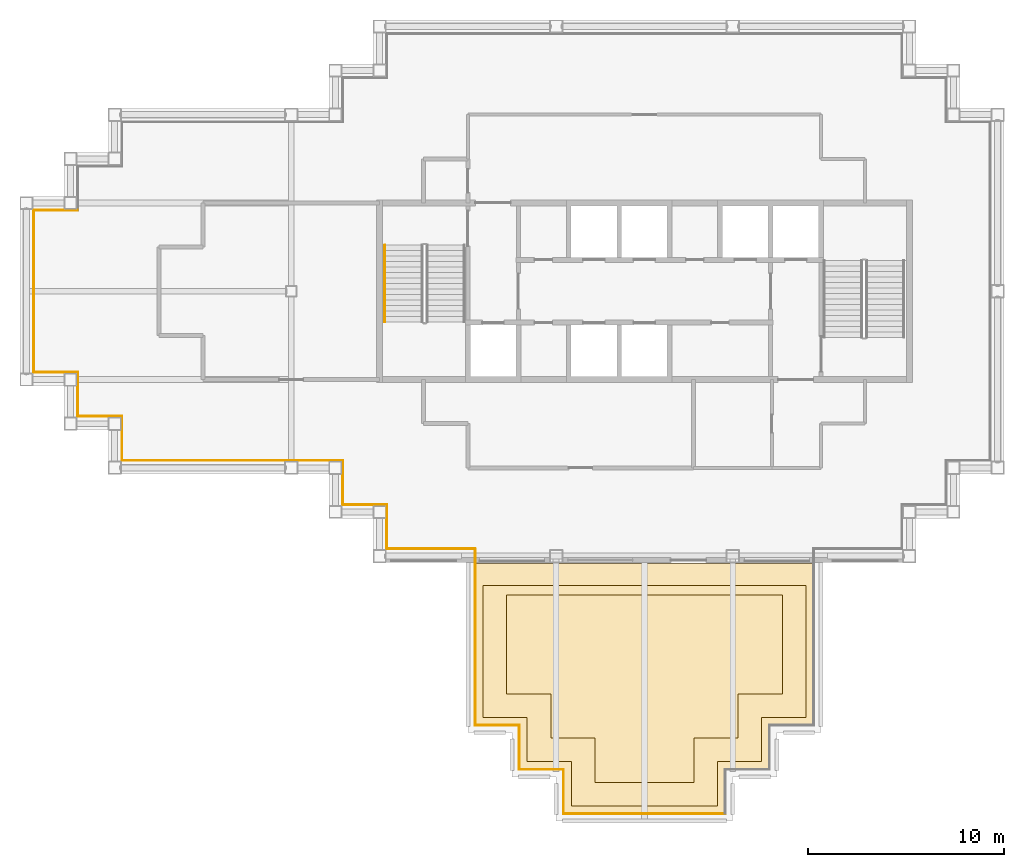
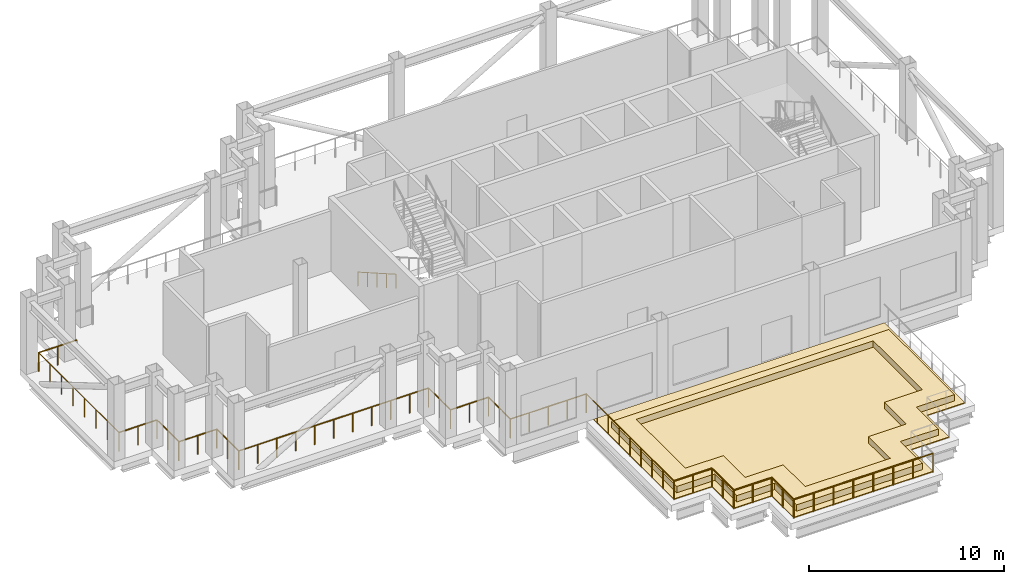
# One storey, part 7 of 10: 18 railings, 3 coverings.
"""IFC4 building model written with IfcOpenShell, lengths in metres."""

from ifc_helpers import new_model, si_unit, direction, frame, origin, origin_2d, place, context, subcontext, project, spatial, polyline, circle, outline, extrude, material, layer, layer_set, type_object, element, save


model = new_model("IFC4")

# Units and contexts
model_context = context("Model", 3, precision=1e-05, world=origin(), true_north=direction((0.0, 1.0)))
body_context = subcontext(model_context, "Body", "Model", "MODEL_VIEW")
ifc_project = project(units=[si_unit("LENGTHUNIT", "METRE"), si_unit("AREAUNIT", "SQUARE_METRE"), si_unit("VOLUMEUNIT", "CUBIC_METRE"), si_unit("PLANEANGLEUNIT", "RADIAN"), si_unit("MASSUNIT", "GRAM", prefix="KILO")], contexts=[model_context])

# Site, building, storey
site_placement = place(None, origin())
site = spatial("IfcSite", under=ifc_project, at=site_placement, CompositionType="ELEMENT")
building_placement = place(site_placement, origin())
building = spatial("IfcBuilding", under=site, at=building_placement, Name="Caravel Reach Hotel and Residences", CompositionType="ELEMENT")
storey_placement = place(building_placement, frame((0.0, 0.0, 233.10009765625)))
storey = spatial("IfcBuildingStorey", under=building, at=storey_placement, Name="L59", CompositionType="ELEMENT", Elevation=233.10009765625)

# Railings
ifc_material_1 = material(Name="Stainless steel S30408", Category="steel")
railing_type_1 = type_object("IfcRailingType", Name="G1 Guard 1200 stainless", PredefinedType="GUARDRAIL", material=ifc_material_1)
railing_1_placement = place(storey_placement, frame((2.625, 31.125, 0.0)))
element("IfcRailing", 1, at=railing_1_placement, inside=storey, type_object=railing_type_1, Name="Guard L59 1 run 21", PredefinedType="GUARDRAIL", context=body_context, shape_type="SweptSolid", body=[
    extrude(circle(Radius=0.02392578125, at=origin_2d()), frame((0.0, 0.0, 1.17578125), z_axis=(-1.0, 0.0, 0.0), x_axis=(0.0, -1.0, 0.0)), (0.0, 0.0, 1.0), 2.25),
    extrude(circle(Radius=0.02099609375, at=origin_2d()), frame((-1.125, 0.0, 0.0)), (0.0, 0.0, 1.0), 1.15185546875),
    extrude(circle(Radius=0.02099609375, at=origin_2d()), frame((-2.25, 0.0, 0.0)), (0.0, 0.0, 1.0), 1.15185546875),
])
railing_2_placement = place(storey_placement, frame((0.375, 31.125, 0.0)))
element("IfcRailing", 2, at=railing_2_placement, inside=storey, type_object=railing_type_1, Name="Guard L59 1 run 22", PredefinedType="GUARDRAIL", context=body_context, shape_type="SweptSolid", body=[
    extrude(circle(Radius=0.02392578125, at=origin_2d()), frame((0.0, 0.0, 1.17578125), z_axis=(0.0, -1.0, 0.0), x_axis=(1.0, 0.0, 0.0)), (0.0, 0.0, 1.0), 8.25),
    extrude(circle(Radius=0.02099609375, at=origin_2d()), frame((0.0, -1.178466796875, 0.0)), (0.0, 0.0, 1.0), 1.15185546875),
    extrude(circle(Radius=0.02099609375, at=origin_2d()), frame((0.0, -2.357177734375, 0.0)), (0.0, 0.0, 1.0), 1.15185546875),
    extrude(circle(Radius=0.02099609375, at=origin_2d()), frame((0.0, -3.53564453125, 0.0)), (0.0, 0.0, 1.0), 1.15185546875),
    extrude(circle(Radius=0.02099609375, at=origin_2d()), frame((0.0, -4.71435546875, 0.0)), (0.0, 0.0, 1.0), 1.15185546875),
    extrude(circle(Radius=0.02099609375, at=origin_2d()), frame((0.0, -5.892822265625, 0.0)), (0.0, 0.0, 1.0), 1.15185546875),
    extrude(circle(Radius=0.02099609375, at=origin_2d()), frame((0.0, -7.071533203125, 0.0)), (0.0, 0.0, 1.0), 1.15185546875),
    extrude(circle(Radius=0.02099609375, at=origin_2d()), frame((0.0, -8.25, 0.0)), (0.0, 0.0, 1.0), 1.15185546875),
])
railing_3_placement = place(storey_placement, frame((0.375, 22.875, 0.0)))
element("IfcRailing", 3, at=railing_3_placement, inside=storey, type_object=railing_type_1, Name="Guard L59 1 run 23", PredefinedType="GUARDRAIL", context=body_context, shape_type="SweptSolid", body=[
    extrude(circle(Radius=0.02392578125, at=origin_2d()), frame((0.0, 0.0, 1.17578125), z_axis=(1.0, 0.0, 0.0), x_axis=(0.0, 1.0, 0.0)), (0.0, 0.0, 1.0), 2.25),
    extrude(circle(Radius=0.02099609375, at=origin_2d()), frame((1.125, 0.0, 0.0)), (0.0, 0.0, 1.0), 1.15185546875),
    extrude(circle(Radius=0.02099609375, at=origin_2d()), frame((2.25, 0.0, 0.0)), (0.0, 0.0, 1.0), 1.15185546875),
])
railing_4_placement = place(storey_placement, frame((2.625, 22.875, 0.0)))
element("IfcRailing", 4, at=railing_4_placement, inside=storey, type_object=railing_type_1, Name="Guard L59 1 run 24", PredefinedType="GUARDRAIL", context=body_context, shape_type="SweptSolid", body=[
    extrude(circle(Radius=0.02392578125, at=origin_2d()), frame((0.0, 0.0, 1.17578125), z_axis=(0.0, -1.0, 0.0), x_axis=(1.0, 0.0, 0.0)), (0.0, 0.0, 1.0), 2.25),
    extrude(circle(Radius=0.02099609375, at=origin_2d()), frame((0.0, -1.125, 0.0)), (0.0, 0.0, 1.0), 1.15185546875),
    extrude(circle(Radius=0.02099609375, at=origin_2d()), frame((0.0, -2.25, 0.0)), (0.0, 0.0, 1.0), 1.15185546875),
])
railing_5_placement = place(storey_placement, frame((2.625, 20.625, 0.0)))
element("IfcRailing", 5, at=railing_5_placement, inside=storey, type_object=railing_type_1, Name="Guard L59 1 run 25", PredefinedType="GUARDRAIL", context=body_context, shape_type="SweptSolid", body=[
    extrude(circle(Radius=0.02392578125, at=origin_2d()), frame((0.0, 0.0, 1.17578125), z_axis=(1.0, 0.0, 0.0), x_axis=(0.0, 1.0, 0.0)), (0.0, 0.0, 1.0), 2.25),
    extrude(circle(Radius=0.02099609375, at=origin_2d()), frame((1.125, 0.0, 0.0)), (0.0, 0.0, 1.0), 1.15185546875),
    extrude(circle(Radius=0.02099609375, at=origin_2d()), frame((2.25, 0.0, 0.0)), (0.0, 0.0, 1.0), 1.15185546875),
])
railing_6_placement = place(storey_placement, frame((4.875, 20.625, 0.0)))
element("IfcRailing", 6, at=railing_6_placement, inside=storey, type_object=railing_type_1, Name="Guard L59 1 run 26", PredefinedType="GUARDRAIL", context=body_context, shape_type="SweptSolid", body=[
    extrude(circle(Radius=0.02392578125, at=origin_2d()), frame((0.0, 0.0, 1.17578125), z_axis=(0.0, -1.0, 0.0), x_axis=(1.0, 0.0, 0.0)), (0.0, 0.0, 1.0), 2.25),
    extrude(circle(Radius=0.02099609375, at=origin_2d()), frame((0.0, -1.125, 0.0)), (0.0, 0.0, 1.0), 1.15185546875),
    extrude(circle(Radius=0.02099609375, at=origin_2d()), frame((0.0, -2.25, 0.0)), (0.0, 0.0, 1.0), 1.15185546875),
])
railing_7_placement = place(storey_placement, frame((4.875, 18.375, 0.0)))
element("IfcRailing", 7, at=railing_7_placement, inside=storey, type_object=railing_type_1, Name="Guard L59 1 run 27", PredefinedType="GUARDRAIL", context=body_context, shape_type="SweptSolid", body=[
    extrude(circle(Radius=0.02392578125, at=origin_2d()), frame((0.0, 0.0, 1.17578125), z_axis=(1.0, 0.0, 0.0), x_axis=(0.0, 1.0, 0.0)), (0.0, 0.0, 1.0), 11.25),
    extrude(circle(Radius=0.02099609375, at=origin_2d()), frame((1.125, 0.0, 0.0)), (0.0, 0.0, 1.0), 1.15185546875),
    extrude(circle(Radius=0.02099609375, at=origin_2d()), frame((2.25, 0.0, 0.0)), (0.0, 0.0, 1.0), 1.15185546875),
    extrude(circle(Radius=0.02099609375, at=origin_2d()), frame((3.375, 0.0, 0.0)), (0.0, 0.0, 1.0), 1.15185546875),
    extrude(circle(Radius=0.02099609375, at=origin_2d()), frame((4.5, 0.0, 0.0)), (0.0, 0.0, 1.0), 1.15185546875),
    extrude(circle(Radius=0.02099609375, at=origin_2d()), frame((5.625, 0.0, 0.0)), (0.0, 0.0, 1.0), 1.15185546875),
    extrude(circle(Radius=0.02099609375, at=origin_2d()), frame((6.75, 0.0, 0.0)), (0.0, 0.0, 1.0), 1.15185546875),
    extrude(circle(Radius=0.02099609375, at=origin_2d()), frame((7.875, 0.0, 0.0)), (0.0, 0.0, 1.0), 1.15185546875),
    extrude(circle(Radius=0.02099609375, at=origin_2d()), frame((9.0, 0.0, 0.0)), (0.0, 0.0, 1.0), 1.15185546875),
    extrude(circle(Radius=0.02099609375, at=origin_2d()), frame((10.125, 0.0, 0.0)), (0.0, 0.0, 1.0), 1.15185546875),
    extrude(circle(Radius=0.02099609375, at=origin_2d()), frame((11.25, 0.0, 0.0)), (0.0, 0.0, 1.0), 1.15185546875),
])
railing_8_placement = place(storey_placement, frame((16.125, 18.375, 0.0)))
element("IfcRailing", 8, at=railing_8_placement, inside=storey, type_object=railing_type_1, Name="Guard L59 1 run 28", PredefinedType="GUARDRAIL", context=body_context, shape_type="SweptSolid", body=[
    extrude(circle(Radius=0.02392578125, at=origin_2d()), frame((0.0, 0.0, 1.17578125), z_axis=(0.0, -1.0, 0.0), x_axis=(1.0, 0.0, 0.0)), (0.0, 0.0, 1.0), 2.25),
    extrude(circle(Radius=0.02099609375, at=origin_2d()), frame((0.0, -1.125, 0.0)), (0.0, 0.0, 1.0), 1.15185546875),
    extrude(circle(Radius=0.02099609375, at=origin_2d()), frame((0.0, -2.25, 0.0)), (0.0, 0.0, 1.0), 1.15185546875),
])
railing_9_placement = place(storey_placement, frame((16.125, 16.125, 0.0)))
element("IfcRailing", 9, at=railing_9_placement, inside=storey, type_object=railing_type_1, Name="Guard L59 1 run 29", PredefinedType="GUARDRAIL", context=body_context, shape_type="SweptSolid", body=[
    extrude(circle(Radius=0.02392578125, at=origin_2d()), frame((0.0, 0.0, 1.17578125), z_axis=(1.0, 0.0, 0.0), x_axis=(0.0, 1.0, 0.0)), (0.0, 0.0, 1.0), 2.25),
    extrude(circle(Radius=0.02099609375, at=origin_2d()), frame((1.125, 0.0, 0.0)), (0.0, 0.0, 1.0), 1.15185546875),
    extrude(circle(Radius=0.02099609375, at=origin_2d()), frame((2.25, 0.0, 0.0)), (0.0, 0.0, 1.0), 1.15185546875),
])
railing_10_placement = place(storey_placement, frame((18.375, 16.125, 0.0)))
element("IfcRailing", 10, at=railing_10_placement, inside=storey, type_object=railing_type_1, Name="Guard L59 1 run 30", PredefinedType="GUARDRAIL", context=body_context, shape_type="SweptSolid", body=[
    extrude(circle(Radius=0.02392578125, at=origin_2d()), frame((0.0, 0.0, 1.17578125), z_axis=(0.0, -1.0, 0.0), x_axis=(1.0, 0.0, 0.0)), (0.0, 0.0, 1.0), 2.25),
    extrude(circle(Radius=0.02099609375, at=origin_2d()), frame((0.0, -1.125, 0.0)), (0.0, 0.0, 1.0), 1.15185546875),
    extrude(circle(Radius=0.02099609375, at=origin_2d()), frame((0.0, -2.25, 0.0)), (0.0, 0.0, 1.0), 1.15185546875),
])
railing_11_placement = place(storey_placement, frame((18.375, 13.875, 0.0)))
element("IfcRailing", 11, at=railing_11_placement, inside=storey, type_object=railing_type_1, Name="Guard L59 1 run 31", PredefinedType="GUARDRAIL", context=body_context, shape_type="SweptSolid", body=[
    extrude(circle(Radius=0.02392578125, at=origin_2d()), frame((0.0, 0.0, 1.17578125), z_axis=(1.0, 0.0, 0.0), x_axis=(0.0, 1.0, 0.0)), (0.0, 0.0, 1.0), 4.5),
    extrude(circle(Radius=0.02099609375, at=origin_2d()), frame((1.125, 0.0, 0.0)), (0.0, 0.0, 1.0), 1.15185546875),
    extrude(circle(Radius=0.02099609375, at=origin_2d()), frame((2.25, 0.0, 0.0)), (0.0, 0.0, 1.0), 1.15185546875),
    extrude(circle(Radius=0.02099609375, at=origin_2d()), frame((3.375, 0.0, 0.0)), (0.0, 0.0, 1.0), 1.15185546875),
    extrude(circle(Radius=0.02099609375, at=origin_2d()), frame((4.5, 0.0, 0.0)), (0.0, 0.0, 1.0), 1.15185546875),
])
railing_12_placement = place(storey_placement, frame((22.875, 13.875, 0.0)))
element("IfcRailing", 12, at=railing_12_placement, inside=storey, type_object=railing_type_1, Name="Guard L59 1 run 32", PredefinedType="GUARDRAIL", context=body_context, shape_type="SweptSolid", body=[
    extrude(circle(Radius=0.02392578125, at=origin_2d()), frame((0.0, 0.0, 1.17578125), z_axis=(0.0, -1.0, 0.0), x_axis=(1.0, 0.0, 0.0)), (0.0, 0.0, 1.0), 9.0),
    extrude(circle(Radius=0.02099609375, at=origin_2d()), frame((0.0, -1.125, 0.0)), (0.0, 0.0, 1.0), 1.15185546875),
    extrude(circle(Radius=0.02099609375, at=origin_2d()), frame((0.0, -2.25, 0.0)), (0.0, 0.0, 1.0), 1.15185546875),
    extrude(circle(Radius=0.02099609375, at=origin_2d()), frame((0.0, -3.375, 0.0)), (0.0, 0.0, 1.0), 1.15185546875),
    extrude(circle(Radius=0.02099609375, at=origin_2d()), frame((0.0, -4.5, 0.0)), (0.0, 0.0, 1.0), 1.15185546875),
    extrude(circle(Radius=0.02099609375, at=origin_2d()), frame((0.0, -5.625, 0.0)), (0.0, 0.0, 1.0), 1.15185546875),
    extrude(circle(Radius=0.02099609375, at=origin_2d()), frame((0.0, -6.75, 0.0)), (0.0, 0.0, 1.0), 1.15185546875),
    extrude(circle(Radius=0.02099609375, at=origin_2d()), frame((0.0, -7.875, 0.0)), (0.0, 0.0, 1.0), 1.15185546875),
    extrude(circle(Radius=0.02099609375, at=origin_2d()), frame((0.0, -9.0, 0.0)), (0.0, 0.0, 1.0), 1.15185546875),
])
railing_13_placement = place(storey_placement, frame((22.875, 4.875, 0.0)))
element("IfcRailing", 13, at=railing_13_placement, inside=storey, type_object=railing_type_1, Name="Guard L59 1 run 33", PredefinedType="GUARDRAIL", context=body_context, shape_type="SweptSolid", body=[
    extrude(circle(Radius=0.02392578125, at=origin_2d()), frame((0.0, 0.0, 1.17578125), z_axis=(1.0, 0.0, 0.0), x_axis=(0.0, 1.0, 0.0)), (0.0, 0.0, 1.0), 2.25),
    extrude(circle(Radius=0.02099609375, at=origin_2d()), frame((1.125, 0.0, 0.0)), (0.0, 0.0, 1.0), 1.15185546875),
    extrude(circle(Radius=0.02099609375, at=origin_2d()), frame((2.25, 0.0, 0.0)), (0.0, 0.0, 1.0), 1.15185546875),
])
railing_14_placement = place(storey_placement, frame((25.125, 4.875, 0.0)))
element("IfcRailing", 14, at=railing_14_placement, inside=storey, type_object=railing_type_1, Name="Guard L59 1 run 34", PredefinedType="GUARDRAIL", context=body_context, shape_type="SweptSolid", body=[
    extrude(circle(Radius=0.02392578125, at=origin_2d()), frame((0.0, 0.0, 1.17578125), z_axis=(0.0, -1.0, 0.0), x_axis=(1.0, 0.0, 0.0)), (0.0, 0.0, 1.0), 2.25),
    extrude(circle(Radius=0.02099609375, at=origin_2d()), frame((0.0, -1.125, 0.0)), (0.0, 0.0, 1.0), 1.15185546875),
    extrude(circle(Radius=0.02099609375, at=origin_2d()), frame((0.0, -2.25, 0.0)), (0.0, 0.0, 1.0), 1.15185546875),
])
railing_15_placement = place(storey_placement, frame((25.125, 2.625, 0.0)))
element("IfcRailing", 15, at=railing_15_placement, inside=storey, type_object=railing_type_1, Name="Guard L59 1 run 35", PredefinedType="GUARDRAIL", context=body_context, shape_type="SweptSolid", body=[
    extrude(circle(Radius=0.02392578125, at=origin_2d()), frame((0.0, 0.0, 1.17578125), z_axis=(1.0, 0.0, 0.0), x_axis=(0.0, 1.0, 0.0)), (0.0, 0.0, 1.0), 2.25),
    extrude(circle(Radius=0.02099609375, at=origin_2d()), frame((1.125, 0.0, 0.0)), (0.0, 0.0, 1.0), 1.15185546875),
    extrude(circle(Radius=0.02099609375, at=origin_2d()), frame((2.25, 0.0, 0.0)), (0.0, 0.0, 1.0), 1.15185546875),
])
railing_16_placement = place(storey_placement, frame((27.375, 2.625, 0.0)))
element("IfcRailing", 16, at=railing_16_placement, inside=storey, type_object=railing_type_1, Name="Guard L59 1 run 36", PredefinedType="GUARDRAIL", context=body_context, shape_type="SweptSolid", body=[
    extrude(circle(Radius=0.02392578125, at=origin_2d()), frame((0.0, 0.0, 1.17578125), z_axis=(0.0, -1.0, 0.0), x_axis=(1.0, 0.0, 0.0)), (0.0, 0.0, 1.0), 2.25),
    extrude(circle(Radius=0.02099609375, at=origin_2d()), frame((0.0, -1.125, 0.0)), (0.0, 0.0, 1.0), 1.15185546875),
    extrude(circle(Radius=0.02099609375, at=origin_2d()), frame((0.0, -2.25, 0.0)), (0.0, 0.0, 1.0), 1.15185546875),
])
railing_17_placement = place(storey_placement, frame((27.375, 0.375, 0.0)))
element("IfcRailing", 17, at=railing_17_placement, inside=storey, type_object=railing_type_1, Name="Guard L59 1 run 37", PredefinedType="GUARDRAIL", context=body_context, shape_type="SweptSolid", body=[
    extrude(circle(Radius=0.02392578125, at=origin_2d()), frame((0.0, 0.0, 1.17578125), z_axis=(1.0, 0.0, 0.0), x_axis=(0.0, 1.0, 0.0)), (0.0, 0.0, 1.0), 8.25),
    extrude(circle(Radius=0.02099609375, at=origin_2d()), frame((1.178466796875, 0.0, 0.0)), (0.0, 0.0, 1.0), 1.15185546875),
    extrude(circle(Radius=0.02099609375, at=origin_2d()), frame((2.357177734375, 0.0, 0.0)), (0.0, 0.0, 1.0), 1.15185546875),
    extrude(circle(Radius=0.02099609375, at=origin_2d()), frame((3.53564453125, 0.0, 0.0)), (0.0, 0.0, 1.0), 1.15185546875),
    extrude(circle(Radius=0.02099609375, at=origin_2d()), frame((4.71435546875, 0.0, 0.0)), (0.0, 0.0, 1.0), 1.15185546875),
    extrude(circle(Radius=0.02099609375, at=origin_2d()), frame((5.892822265625, 0.0, 0.0)), (0.0, 0.0, 1.0), 1.15185546875),
    extrude(circle(Radius=0.02099609375, at=origin_2d()), frame((7.071533203125, 0.0, 0.0)), (0.0, 0.0, 1.0), 1.15185546875),
    extrude(circle(Radius=0.02099609375, at=origin_2d()), frame((8.25, 0.0, 0.0)), (0.0, 0.0, 1.0), 1.15185546875),
])
ifc_material_2 = material(Name="Stainless steel handrail", Category="steel")
railing_type_2 = type_object("IfcRailingType", Name="Handrail 900", PredefinedType="HANDRAIL", material=ifc_material_2)
railing_18_placement = place(storey_placement, frame((18.27490234375, 29.35009765625, 0.159912109375)))
element("IfcRailing", 18, at=railing_18_placement, inside=storey, type_object=railing_type_2, Name="L59 ST-A stair handrail 1", PredefinedType="HANDRAIL", context=body_context, shape_type="SweptSolid", body=[
    extrude(circle(Radius=0.02392578125, at=origin_2d()), frame((0.0, 0.0, 0.8759765625), z_axis=(0.0, -0.86825312469, 0.496121468458), x_axis=(1.0, 0.0, 0.0)), (0.0, 0.0, 1.0), 4.514892578125),
    extrude(circle(Radius=0.02099609375, at=origin_2d()), origin(), (0.0, 0.0, 1.0), 0.851806640625),
    extrude(circle(Radius=0.02099609375, at=origin_2d()), frame((0.0, -0.97998046875, 0.56005859375)), (0.0, 0.0, 1.0), 0.851806640625),
    extrude(circle(Radius=0.02099609375, at=origin_2d()), frame((0.0, -1.9599609375, 1.1201171875)), (0.0, 0.0, 1.0), 0.851806640625),
    extrude(circle(Radius=0.02099609375, at=origin_2d()), frame((0.0, -2.940185546875, 1.679931640625)), (0.0, 0.0, 1.0), 0.851806640625),
    extrude(circle(Radius=0.02099609375, at=origin_2d()), frame((0.0, -3.920166015625, 2.239990234375)), (0.0, 0.0, 1.0), 0.851806640625),
])

# Coverings
ifc_material_3 = material(Name="Planting soil in aluminium planter", Category="aluminium")
covering_type_1 = type_object("IfcCoveringType", Name="PL1 Planter bed 1200", PredefinedType="USERDEFINED", material=ifc_material_3)
covering_1_placement = place(storey_placement, origin())
element("IfcCovering", 19, at=covering_1_placement, inside=storey, type_object=covering_type_1, Name="Planter S1", ObjectType="PLANTER", PredefinedType="USERDEFINED", context=body_context, shape_type="SweptSolid", body=[
    extrude(outline(polyline([(37.47509765625, 3.02490234375), (37.47509765625, 5.27490234375), (39.72509765625, 5.27490234375), (39.72509765625, 12.0), (23.27490234375, 12.0), (23.27490234375, 5.27490234375), (25.52490234375, 5.27490234375), (25.52490234375, 3.02490234375), (27.77490234375, 3.02490234375), (27.77490234375, 0.77490234375), (35.22509765625, 0.77490234375), (35.22509765625, 3.02490234375), (37.47509765625, 3.02490234375)]), holes=[polyline([(24.47509765625, 11.52490234375), (38.52490234375, 11.52490234375), (38.52490234375, 6.47509765625), (36.27490234375, 6.47509765625), (36.27490234375, 4.22509765625), (34.02490234375, 4.22509765625), (34.02490234375, 1.97509765625), (28.97509765625, 1.97509765625), (28.97509765625, 4.22509765625), (26.72509765625, 4.22509765625), (26.72509765625, 6.47509765625), (24.47509765625, 6.47509765625), (24.47509765625, 11.52490234375)])]), origin(), (0.0, 0.0, 1.0), 0.449951171875),
])
ifc_material_4 = material(Name="Porcelain paving")
ifc_layer = layer(ifc_material_4, 0.050048828125)
ifc_layer_set = layer_set([ifc_layer], Name="TF1 Terrace paving finish 50")
covering_type_2 = type_object("IfcCoveringType", Name="TF1 Terrace paving finish 50", PredefinedType="FLOORING", material=ifc_layer_set)
covering_2_placement = place(storey_placement, origin())
element("IfcCovering", 20, at=covering_2_placement, inside=storey, type_object=covering_type_2, Name="Terrace paving S1", PredefinedType="FLOORING", context=body_context, shape_type="SweptSolid", body=[
    extrude(outline(polyline([(37.875, 4.875), (40.125, 4.875), (40.125, 13.125), (22.875, 13.125), (22.875, 4.875), (25.125, 4.875), (25.125, 2.625), (27.375, 2.625), (27.375, 0.375), (35.625, 0.375), (35.625, 2.625), (37.875, 2.625), (37.875, 4.875)]), holes=[polyline([(37.47509765625, 5.27490234375), (37.47509765625, 3.02490234375), (35.22509765625, 3.02490234375), (35.22509765625, 0.77490234375), (27.77490234375, 0.77490234375), (27.77490234375, 3.02490234375), (25.52490234375, 3.02490234375), (25.52490234375, 5.27490234375), (23.27490234375, 5.27490234375), (23.27490234375, 12.0), (39.72509765625, 12.0), (39.72509765625, 5.27490234375), (37.47509765625, 5.27490234375)])]), origin(), (0.0, 0.0, 1.0), 0.0498046875),
])
covering_3_placement = place(storey_placement, origin())
element("IfcCovering", 21, at=covering_3_placement, inside=storey, type_object=covering_type_2, Name="Terrace paving S2", PredefinedType="FLOORING", context=body_context, shape_type="SweptSolid", body=[
    extrude(outline(polyline([(38.52490234375, 11.52490234375), (24.47509765625, 11.52490234375), (24.47509765625, 6.47509765625), (26.72509765625, 6.47509765625), (26.72509765625, 4.22509765625), (28.97509765625, 4.22509765625), (28.97509765625, 1.97509765625), (34.02490234375, 1.97509765625), (34.02490234375, 4.22509765625), (36.27490234375, 4.22509765625), (36.27490234375, 6.47509765625), (38.52490234375, 6.47509765625), (38.52490234375, 11.52490234375)])), origin(), (0.0, 0.0, 1.0), 0.0498046875),
])

save(model, "model.ifc")
